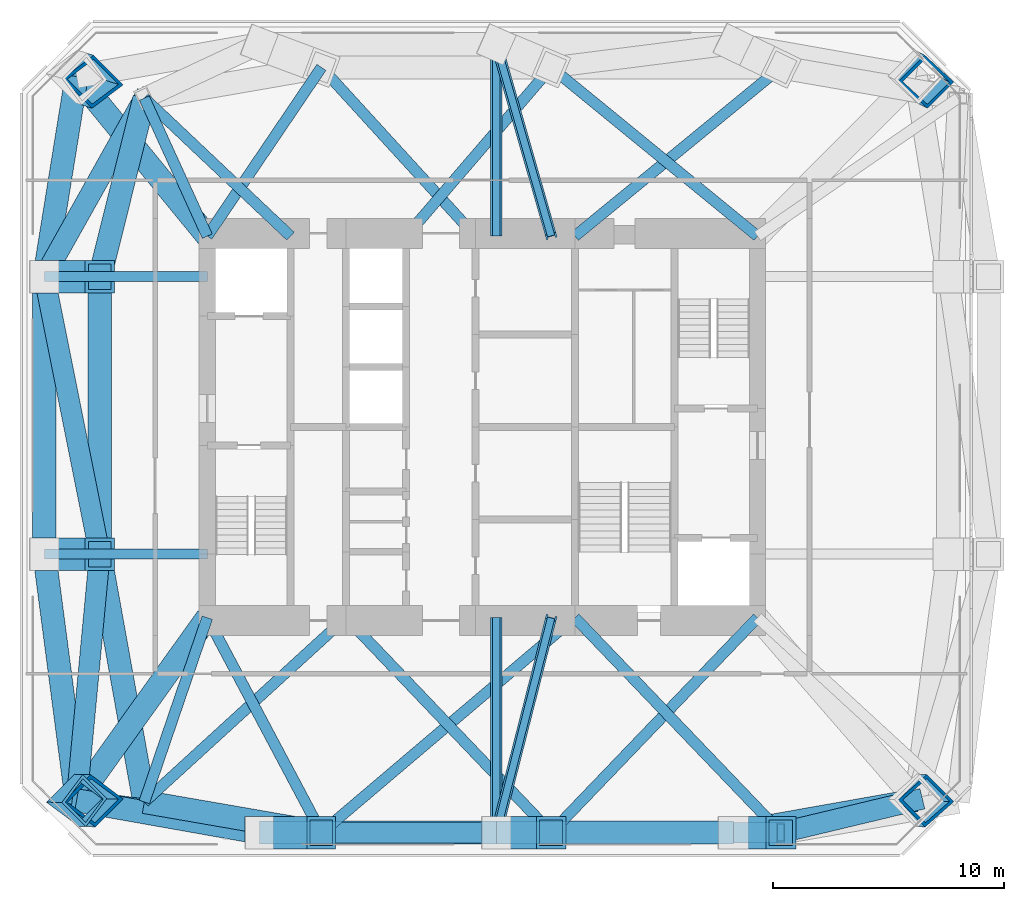
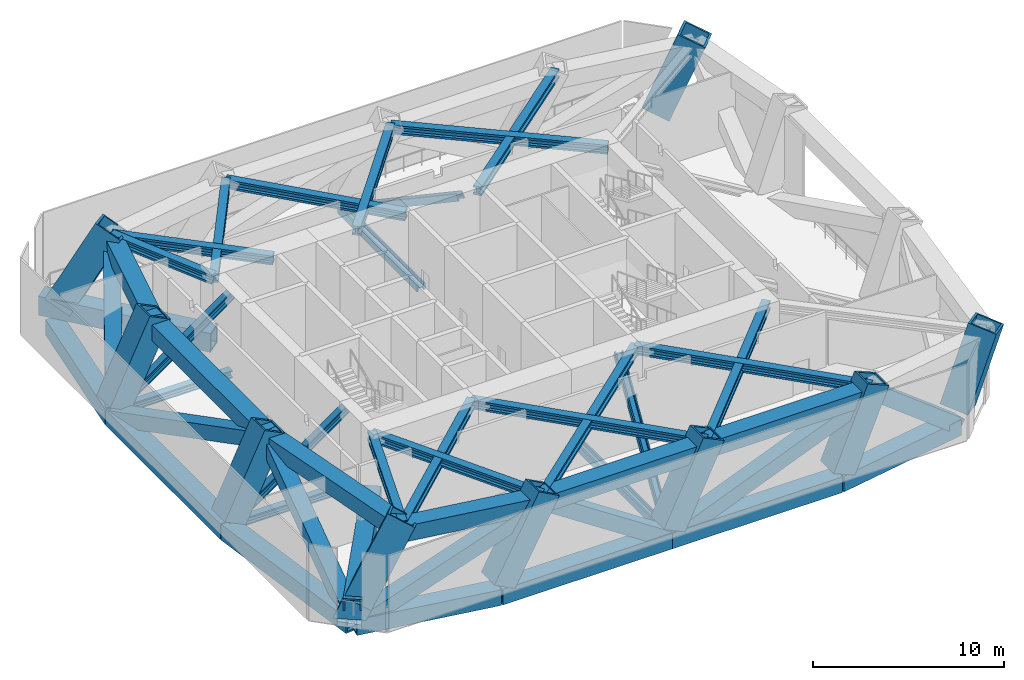
# One storey, part 1 of 8: 48 members, 4 columns, 2 beams.
"""IFC4 building model written with IfcOpenShell, lengths in metres."""

from ifc_helpers import new_model, si_unit, direction, frame, origin, origin_2d, place, context, subcontext, project, spatial, hollow_rectangle, i_section, extrude, clip, halfspace, material, material_profile, profile_set, type_object, element, save


model = new_model("IFC4")

# Units and contexts
model_context = context("Model", 3, precision=1e-05, world=origin(), true_north=direction((0.0, 1.0)))
body_context = subcontext(model_context, "Body", "Model", "MODEL_VIEW")
ifc_project = project(units=[si_unit("LENGTHUNIT", "METRE"), si_unit("AREAUNIT", "SQUARE_METRE"), si_unit("VOLUMEUNIT", "CUBIC_METRE"), si_unit("PLANEANGLEUNIT", "RADIAN"), si_unit("MASSUNIT", "GRAM", prefix="KILO")], contexts=[model_context])

# Site, building, storey
site_placement = place(None, origin())
site = spatial("IfcSite", under=ifc_project, at=site_placement, CompositionType="ELEMENT")
building_placement = place(site_placement, origin())
building = spatial("IfcBuilding", under=site, at=building_placement, Name="Jalousie Tower", CompositionType="ELEMENT")
storey_placement = place(building_placement, frame((0.0, 0.0, 207.949951171875)))
storey = spatial("IfcBuildingStorey", under=building, at=storey_placement, Name="L57", CompositionType="ELEMENT", Elevation=207.949951171875)

# Columns
ifc_material_1 = material(Name="Steel EN 10025-2 S355J2 plate", Category="steel")
ifc_material_profile_1 = material_profile(ifc_material_1, hollow_rectangle(XDim=1.60009765625, YDim=1.60009765625, WallThickness=0.125, at=origin_2d()), Name="BOX 1600x1600x125")
ifc_profile_set_1 = profile_set([ifc_material_profile_1], Name="Steel EN 10025-2 S355J2 plate")
column_type = type_object("IfcColumnType", Name="BUILT-UP BOX CORNER COLUMN BOX 1600x1600x125", PredefinedType="COLUMN", material=ifc_profile_set_1)
column_1_placement = place(storey_placement, frame((14.681884765625, 2.34033203125, 0.5693359375), z_axis=(0.505477672138, -0.012174601821, 0.862753789931), x_axis=(0.566329451465, 0.759058068084, -0.321094692698)))
element("IfcColumn", 1, at=column_1_placement, inside=storey, type_object=column_type, Name="Corner column raked 01 L57", PredefinedType="COLUMN", context=body_context, shape_type="SweptSolid", body=[
    extrude(hollow_rectangle(XDim=1.60009765625, YDim=1.60009765625, WallThickness=0.125, at=origin_2d()), origin(), (0.0, 0.0, 1.0), 5.135498046875),
])
column_2_placement = place(storey_placement, frame((50.792724609375, 2.343017578125, 0.387451171875), z_axis=(0.342107137439, -0.013258544015, 0.939567409782), x_axis=(-0.641784433979, 0.727052744645, 0.24394066247)))
element("IfcColumn", 2, at=column_2_placement, inside=storey, type_object=column_type, Name="Corner column raked 05 L57", PredefinedType="COLUMN", context=body_context, shape_type="SweptSolid", body=[
    extrude(hollow_rectangle(XDim=1.60009765625, YDim=1.60009765625, WallThickness=0.125, at=origin_2d()), origin(), (0.0, 0.0, 1.0), 4.9091796875),
])
column_3_placement = place(storey_placement, frame((50.788818359375, 33.58154296875, 0.376953125), z_axis=(0.337034427987, -0.172065182694, 0.925635655783), x_axis=(-0.672443835431, -0.732114860607, 0.10875255891)))
element("IfcColumn", 3, at=column_3_placement, inside=storey, type_object=column_type, Name="Corner column raked 08 L57", PredefinedType="COLUMN", context=body_context, shape_type="SweptSolid", body=[
    extrude(hollow_rectangle(XDim=1.60009765625, YDim=1.60009765625, WallThickness=0.125, at=origin_2d()), origin(), (0.0, 0.0, 1.0), 4.994384765625),
])
column_4_placement = place(storey_placement, frame((14.685546875, 33.544677734375, 0.57568359375), z_axis=(0.49913593482, -0.158364072328, 0.851929656232), x_axis=(0.536544088104, -0.715531684095, -0.447364337623)))
element("IfcColumn", 4, at=column_4_placement, inside=storey, type_object=column_type, Name="Corner column raked 12 L57", PredefinedType="COLUMN", context=body_context, shape_type="SweptSolid", body=[
    extrude(hollow_rectangle(XDim=1.60009765625, YDim=1.60009765625, WallThickness=0.125, at=origin_2d()), origin(), (0.0, 0.0, 1.0), 5.193359375),
])

# Members
ifc_material_2 = material(Name="Steel ASTM A572 Grade 50 plate", Category="steel")
ifc_material_profile_2 = material_profile(ifc_material_2, hollow_rectangle(XDim=1.0, YDim=1.0, WallThickness=0.10009765625, at=origin_2d()), Name="BOX 1000x1000x100")
ifc_profile_set_2 = profile_set([ifc_material_profile_2], Name="Steel ASTM A572 Grade 50 plate")
member_type_1 = type_object("IfcMemberType", Name="BELT TRUSS CHORD BOX 1000x1000x100", PredefinedType="CHORD", material=ifc_profile_set_2)
member_1_placement = place(storey_placement, frame((14.348388671875, 2.348388671875, -0.780029296875), z_axis=(0.984697370688, -0.174273027632, 0.0), x_axis=(0.174273027632, 0.984697370688, 0.0)))
element("IfcMember", 5, at=member_1_placement, inside=storey, type_object=member_type_1, Name="Belt truss T3 01-02 chord L57", PredefinedType="CHORD", context=body_context, shape_type="SweptSolid", body=[
    extrude(hollow_rectangle(XDim=1.0, YDim=1.0, WallThickness=0.10009765625, at=origin_2d()), origin(), (0.0, 0.0, 1.0), 8.0244140625),
])
member_2_placement = place(storey_placement, frame((17.27783203125, 2.27783203125, 4.219970703125), z_axis=(0.985303580858, -0.170812334299, 0.0), x_axis=(0.170812334299, 0.985303580858, 0.0)))
element("IfcMember", 6, at=member_2_placement, inside=storey, type_object=member_type_1, Name="Belt truss T3 01-02 chord L58", PredefinedType="CHORD", context=body_context, shape_type="SweptSolid", body=[
    extrude(hollow_rectangle(XDim=1.0, YDim=1.0, WallThickness=0.10009765625, at=origin_2d()), origin(), (0.0, 0.0, 1.0), 7.77392578125),
])
member_3_placement = place(storey_placement, frame((22.25, 0.949951171875, -0.780029296875), z_axis=(1.0, 0.0, 0.0), x_axis=(0.0, 1.0, 0.0)))
element("IfcMember", 7, at=member_3_placement, inside=storey, type_object=member_type_1, Name="Belt truss T3 02-03 chord L57", PredefinedType="CHORD", context=body_context, shape_type="SweptSolid", body=[
    extrude(hollow_rectangle(XDim=1.0, YDim=1.0, WallThickness=0.10009765625, at=origin_2d()), origin(), (0.0, 0.0, 1.0), 10.25),
])
member_4_placement = place(storey_placement, frame((24.9375, 0.949951171875, 4.219970703125), z_axis=(1.0, 0.0, 0.0), x_axis=(0.0, 1.0, 0.0)))
element("IfcMember", 8, at=member_4_placement, inside=storey, type_object=member_type_1, Name="Belt truss T3 02-03 chord L58", PredefinedType="CHORD", context=body_context, shape_type="SweptSolid", body=[
    extrude(hollow_rectangle(XDim=1.0, YDim=1.0, WallThickness=0.10009765625, at=origin_2d()), origin(), (0.0, 0.0, 1.0), 9.9375),
])
member_5_placement = place(storey_placement, frame((32.5, 0.949951171875, -0.780029296875), z_axis=(1.0, 0.0, 0.0), x_axis=(0.0, 1.0, 0.0)))
element("IfcMember", 9, at=member_5_placement, inside=storey, type_object=member_type_1, Name="Belt truss T3 03-04 chord L57", PredefinedType="CHORD", context=body_context, shape_type="SweptSolid", body=[
    extrude(hollow_rectangle(XDim=1.0, YDim=1.0, WallThickness=0.10009765625, at=origin_2d()), origin(), (0.0, 0.0, 1.0), 10.25),
])
member_6_placement = place(storey_placement, frame((34.875, 0.949951171875, 4.219970703125), z_axis=(1.0, 0.0, 0.0), x_axis=(0.0, 1.0, 0.0)))
element("IfcMember", 10, at=member_6_placement, inside=storey, type_object=member_type_1, Name="Belt truss T3 03-04 chord L58", PredefinedType="CHORD", context=body_context, shape_type="SweptSolid", body=[
    extrude(hollow_rectangle(XDim=1.0, YDim=1.0, WallThickness=0.10009765625, at=origin_2d()), origin(), (0.0, 0.0, 1.0), 9.9375),
])
member_7_placement = place(storey_placement, frame((42.75, 0.949951171875, -0.780029296875), z_axis=(0.984697370688, 0.174273027632, 0.0), x_axis=(-0.174273027632, 0.984697370688, 0.0)))
element("IfcMember", 11, at=member_7_placement, inside=storey, type_object=member_type_1, Name="Belt truss T3 04-05 chord L57", PredefinedType="CHORD", context=body_context, shape_type="SweptSolid", body=[
    extrude(hollow_rectangle(XDim=1.0, YDim=1.0, WallThickness=0.10009765625, at=origin_2d()), origin(), (0.0, 0.0, 1.0), 8.0244140625),
])
member_8_placement = place(storey_placement, frame((14.348388671875, 33.651611328125, -0.780029296875), z_axis=(-0.159567878256, -0.987186959106, 0.0), x_axis=(0.987186959106, -0.159567878256, 0.0)))
element("IfcMember", 12, at=member_8_placement, inside=storey, type_object=member_type_1, Name="Belt truss T3 12-13 chord L57", PredefinedType="CHORD", context=body_context, shape_type="SweptSolid", body=[
    extrude(hollow_rectangle(XDim=1.0, YDim=1.0, WallThickness=0.10009765625, at=origin_2d()), origin(), (0.0, 0.0, 1.0), 8.763916015625),
])
member_9_placement = place(storey_placement, frame((17.27783203125, 32.72216796875, 4.219970703125), z_axis=(-0.242203607558, -0.970225444155, 0.0), x_axis=(0.970225444155, -0.242203607558, 0.0)))
element("IfcMember", 13, at=member_9_placement, inside=storey, type_object=member_type_1, Name="Belt truss T3 12-13 chord L58", PredefinedType="CHORD", context=body_context, shape_type="SweptSolid", body=[
    extrude(hollow_rectangle(XDim=1.0, YDim=1.0, WallThickness=0.10009765625, at=origin_2d()), origin(), (0.0, 0.0, 1.0), 7.959228515625),
])
for number, where, z_axis, x_axis, name in (
    (14, (12.949951171875, 25.0, -0.780029296875), (0.0, -1.0, 0.0), (1.0, 0.0, 0.0), "Belt truss T3 13-14 chord L57"),
    (15, (15.35009765625, 25.0, 4.219970703125), (0.0, -1.0, 0.0), (1.0, 0.0, 0.0), "Belt truss T3 13-14 chord L58"),
):
    element("IfcMember", number, at=place(storey_placement, frame(where, z_axis=z_axis, x_axis=x_axis)), inside=storey, type_object=member_type_1, Name=name, PredefinedType="CHORD", context=body_context, shape_type="SweptSolid", body=[
        extrude(hollow_rectangle(XDim=1.0, YDim=1.0, WallThickness=0.10009765625, at=origin_2d()), origin(), (0.0, 0.0, 1.0), 12.0),
    ])
member_10_placement = place(storey_placement, frame((12.949951171875, 13.0, -0.780029296875), z_axis=(0.130171745558, -0.991491460709, 0.0), x_axis=(0.991491460709, 0.130171745558, 0.0)))
element("IfcMember", 16, at=member_10_placement, inside=storey, type_object=member_type_1, Name="Belt truss T3 14-01 chord L57", PredefinedType="CHORD", context=body_context, shape_type="SweptSolid", body=[
    extrude(hollow_rectangle(XDim=1.0, YDim=1.0, WallThickness=0.10009765625, at=origin_2d()), origin(), (0.0, 0.0, 1.0), 10.742919921875),
])
member_11_placement = place(storey_placement, frame((15.35009765625, 13.0, 4.219970703125), z_axis=(0.176952421232, -0.984219406748, 0.0), x_axis=(0.984219406748, 0.176952421232, 0.0)))
element("IfcMember", 17, at=member_11_placement, inside=storey, type_object=member_type_1, Name="Belt truss T3 14-01 chord L58", PredefinedType="CHORD", context=body_context, shape_type="SweptSolid", body=[
    extrude(hollow_rectangle(XDim=1.0, YDim=1.0, WallThickness=0.10009765625, at=origin_2d()), origin(), (0.0, 0.0, 1.0), 10.89404296875),
])
ifc_material_3 = material(Name="Steel ASTM A572 Grade 50 plate", Category="steel")
ifc_material_profile_3 = material_profile(ifc_material_3, hollow_rectangle(XDim=0.89990234375, YDim=0.89990234375, WallThickness=0.080078125, at=origin_2d()), Name="BOX 900x900x80")
ifc_profile_set_3 = profile_set([ifc_material_profile_3], Name="Steel ASTM A572 Grade 50 plate")
member_type_2 = type_object("IfcMemberType", Name="BELT TRUSS DIAGONAL BOX 900x900x80", PredefinedType="BRACE", material=ifc_profile_set_3)
member_12_placement = place(storey_placement, frame((14.348388671875, 2.348388671875, -0.780029296875), z_axis=(0.897882512889, -0.118577710415, 0.423964998132), x_axis=(0.130926924573, 0.991392021565, 0.0)))
element("IfcMember", 18, at=member_12_placement, inside=storey, type_object=member_type_2, Name="Belt truss T3 01-02 diagonal L57", PredefinedType="BRACE", context=body_context, shape_type="SweptSolid", body=[
    extrude(hollow_rectangle(XDim=0.89990234375, YDim=0.89990234375, WallThickness=0.080078125, at=origin_2d()), origin(), (0.0, 0.0, 1.0), 11.79345703125),
])
member_13_placement = place(storey_placement, frame((24.9375, 0.949951171875, 4.219970703125), z_axis=(0.834165419537, 0.0, -0.551514326966), x_axis=(0.0, 1.0, 0.0)))
element("IfcMember", 19, at=member_13_placement, inside=storey, type_object=member_type_2, Name="Belt truss T3 02-03 diagonal L57", PredefinedType="BRACE", context=body_context, shape_type="SweptSolid", body=[
    extrude(hollow_rectangle(XDim=0.89990234375, YDim=0.89990234375, WallThickness=0.080078125, at=origin_2d()), origin(), (0.0, 0.0, 1.0), 9.06591796875),
])
member_14_placement = place(storey_placement, frame((32.5, 0.949951171875, -0.780029296875), z_axis=(0.926517818131, 0.0, 0.376250890612), x_axis=(0.0, 1.0, 0.0)))
element("IfcMember", 20, at=member_14_placement, inside=storey, type_object=member_type_2, Name="Belt truss T3 03-04 diagonal L57", PredefinedType="BRACE", context=body_context, shape_type="SweptSolid", body=[
    extrude(hollow_rectangle(XDim=0.89990234375, YDim=0.89990234375, WallThickness=0.080078125, at=origin_2d()), origin(), (0.0, 0.0, 1.0), 13.2890625),
])
member_15_placement = place(storey_placement, frame((44.8125, 0.949951171875, 4.219970703125), z_axis=(0.747310188501, 0.178976993759, -0.639917743049), x_axis=(-0.2329084878, 0.9724986562, 0.0)))
element("IfcMember", 21, at=member_15_placement, inside=storey, type_object=member_type_2, Name="Belt truss T3 04-05 diagonal L57", PredefinedType="BRACE", context=body_context, shape_type="SweptSolid", body=[
    extrude(hollow_rectangle(XDim=0.89990234375, YDim=0.89990234375, WallThickness=0.080078125, at=origin_2d()), origin(), (0.0, 0.0, 1.0), 7.8134765625),
])
member_16_placement = place(storey_placement, frame((17.27783203125, 32.72216796875, 4.219970703125), z_axis=(-0.425690481591, -0.75955265599, -0.49180013894), x_axis=(0.872339010051, -0.48890147427, 0.0)))
element("IfcMember", 22, at=member_16_placement, inside=storey, type_object=member_type_2, Name="Belt truss T3 12-13 diagonal L57", PredefinedType="BRACE", context=body_context, shape_type="SweptSolid", body=[
    extrude(hollow_rectangle(XDim=0.89990234375, YDim=0.89990234375, WallThickness=0.080078125, at=origin_2d()), origin(), (0.0, 0.0, 1.0), 10.166748046875),
])
member_17_placement = place(storey_placement, frame((12.949951171875, 25.0, -0.780029296875), z_axis=(0.181558194986, -0.907735571146, 0.378223154644), x_axis=(0.98057837371, 0.196127644693, 0.0)))
element("IfcMember", 23, at=member_17_placement, inside=storey, type_object=member_type_2, Name="Belt truss T3 13-14 diagonal L57", PredefinedType="BRACE", context=body_context, shape_type="SweptSolid", body=[
    extrude(hollow_rectangle(XDim=0.89990234375, YDim=0.89990234375, WallThickness=0.080078125, at=origin_2d()), origin(), (0.0, 0.0, 1.0), 13.2197265625),
])
member_18_placement = place(storey_placement, frame((15.35009765625, 13.0, 4.219970703125), z_axis=(-0.084823533012, -0.901965859558, -0.423394091172), x_axis=(0.995607078608, -0.093629829781, 0.0)))
element("IfcMember", 24, at=member_18_placement, inside=storey, type_object=member_type_2, Name="Belt truss T3 14-01 diagonal L57", PredefinedType="BRACE", context=body_context, shape_type="SweptSolid", body=[
    extrude(hollow_rectangle(XDim=0.89990234375, YDim=0.89990234375, WallThickness=0.080078125, at=origin_2d()), origin(), (0.0, 0.0, 1.0), 11.809326171875),
])

# Beams
ifc_material_4 = material(Name="Steel ASTM A572 Grade 50 plate", Category="steel")
ifc_material_profile_4 = material_profile(ifc_material_4, hollow_rectangle(XDim=1.0, YDim=1.199951171875, WallThickness=0.10009765625, at=origin_2d()), Name="BOX 1200x1000x100")
ifc_profile_set_4 = profile_set([ifc_material_profile_4], Name="Steel ASTM A572 Grade 50 plate")
beam_type = type_object("IfcBeamType", Name="KINK COLLECTOR BOX 1200x1000x100", PredefinedType="BEAM", material=ifc_profile_set_4)
beam_1_placement = place(storey_placement, frame((13.94775390625, 1.7880859375, 0.60009765625), z_axis=(0.581748646626, 0.813368620091, 0.0), x_axis=(-0.813368620091, 0.581748646626, 0.0)))
element("IfcBeam", 25, at=beam_1_placement, inside=storey, type_object=beam_type, Name="Kink collector 01 L57", PredefinedType="BEAM", context=body_context, shape_type="SweptSolid", body=[
    extrude(hollow_rectangle(XDim=1.0, YDim=1.199951171875, WallThickness=0.10009765625, at=origin_2d()), origin(), (0.0, 0.0, 1.0), 10.403564453125),
])
beam_2_placement = place(storey_placement, frame((13.90185546875, 34.197021484375, 0.60009765625), z_axis=(0.633556802936, -0.773696179035, 0.0), x_axis=(0.773696179035, 0.633556802936, 0.0)))
element("IfcBeam", 26, at=beam_2_placement, inside=storey, type_object=beam_type, Name="Kink collector 12 L57", PredefinedType="BEAM", context=body_context, shape_type="SweptSolid", body=[
    extrude(hollow_rectangle(XDim=1.0, YDim=1.199951171875, WallThickness=0.10009765625, at=origin_2d()), origin(), (0.0, 0.0, 1.0), 9.625244140625),
])

# Members
ifc_material_5 = material(Name="Steel ASTM A992 Grade 50", Category="steel")
ifc_material_profile_5 = material_profile(ifc_material_5, i_section(OverallWidth=0.472412109375, OverallDepth=0.5791015625, WebThickness=0.094970703125, FlangeThickness=0.1298828125, at=origin_2d()), Name="W14X808")
ifc_profile_set_5 = profile_set([ifc_material_profile_5], Name="Steel ASTM A992 Grade 50")
member_type_3 = type_object("IfcMemberType", Name="KINK FLOOR TRUSS DIAGONAL W14X808", PredefinedType="BRACE", material=ifc_profile_set_5)
member_19_placement = place(storey_placement, frame((17.27783203125, 2.27783203125, 4.430419921875), z_axis=(0.323140055011, 0.946351153033, 0.0), x_axis=(-0.946351153033, 0.323140055011, 0.0)))
element("IfcMember", 27, at=member_19_placement, inside=storey, type_object=member_type_3, Name="Kink floor truss L58 01 diagonal", PredefinedType="BRACE", context=body_context, shape_type="SweptSolid", body=[
    extrude(i_section(OverallWidth=0.472412109375, OverallDepth=0.5791015625, WebThickness=0.094970703125, FlangeThickness=0.1298828125, at=origin_2d()), origin(), (0.0, 0.0, 1.0), 8.424072265625),
])
member_20_placement = place(storey_placement, frame((17.27783203125, 2.27783203125, 4.430419921875), z_axis=(0.738129342843, 0.674659227487, 0.0), x_axis=(-0.674659227487, 0.738129342843, 0.0)))
element("IfcMember", 28, at=member_20_placement, inside=storey, type_object=member_type_3, Name="Kink floor truss L58 01 diagonal", PredefinedType="BRACE", context=body_context, shape_type="SweptSolid", body=[
    extrude(i_section(OverallWidth=0.472412109375, OverallDepth=0.5791015625, WebThickness=0.094970703125, FlangeThickness=0.1298828125, at=origin_2d()), origin(), (0.0, 0.0, 1.0), 11.816650390625),
])
member_21_placement = place(storey_placement, frame((24.9375, 0.949951171875, 4.430419921875), z_axis=(-0.46892182686, 0.883239673189, 0.0), x_axis=(-0.883239673189, -0.46892182686, 0.0)))
element("IfcMember", 29, at=member_21_placement, inside=storey, type_object=member_type_3, Name="Kink floor truss L58 02 diagonal", PredefinedType="BRACE", context=body_context, shape_type="SweptSolid", body=[
    extrude(i_section(OverallWidth=0.472412109375, OverallDepth=0.5791015625, WebThickness=0.094970703125, FlangeThickness=0.1298828125, at=origin_2d()), origin(), (0.0, 0.0, 1.0), 10.529541015625),
])
member_22_placement = place(storey_placement, frame((24.9375, 0.949951171875, 4.430419921875), z_axis=(0.76255660868, 0.646921493351, 0.0), x_axis=(-0.646921493351, 0.76255660868, 0.0)))
element("IfcMember", 30, at=member_22_placement, inside=storey, type_object=member_type_3, Name="Kink floor truss L58 02 diagonal", PredefinedType="BRACE", context=body_context, shape_type="SweptSolid", body=[
    extrude(i_section(OverallWidth=0.472412109375, OverallDepth=0.5791015625, WebThickness=0.094970703125, FlangeThickness=0.1298828125, at=origin_2d()), origin(), (0.0, 0.0, 1.0), 14.375732421875),
])
member_23_placement = place(storey_placement, frame((34.875, 0.949951171875, 4.430419921875), z_axis=(-0.69038133733, 0.723445650389, 0.0), x_axis=(-0.723445650389, -0.69038133733, 0.0)))
element("IfcMember", 31, at=member_23_placement, inside=storey, type_object=member_type_3, Name="Kink floor truss L58 03 diagonal", PredefinedType="BRACE", context=body_context, shape_type="SweptSolid", body=[
    extrude(i_section(OverallWidth=0.472412109375, OverallDepth=0.5791015625, WebThickness=0.094970703125, FlangeThickness=0.1298828125, at=origin_2d()), origin(), (0.0, 0.0, 1.0), 12.855224609375),
])
member_24_placement = place(storey_placement, frame((34.875, 0.949951171875, 4.430419921875), z_axis=(0.692410778516, 0.721503509205, 0.0), x_axis=(-0.721503509205, 0.692410778516, 0.0)))
element("IfcMember", 32, at=member_24_placement, inside=storey, type_object=member_type_3, Name="Kink floor truss L58 03 diagonal", PredefinedType="BRACE", context=body_context, shape_type="SweptSolid", body=[
    extrude(i_section(OverallWidth=0.472412109375, OverallDepth=0.5791015625, WebThickness=0.094970703125, FlangeThickness=0.1298828125, at=origin_2d()), origin(), (0.0, 0.0, 1.0), 12.889892578125),
])
member_25_placement = place(storey_placement, frame((44.8125, 0.949951171875, 4.430419921875), z_axis=(-0.691907421505, 0.721986232602, 0.0), x_axis=(-0.721986232602, -0.691907421505, 0.0)))
element("IfcMember", 33, at=member_25_placement, inside=storey, type_object=member_type_3, Name="Kink floor truss L58 04 diagonal", PredefinedType="BRACE", context=body_context, shape_type="SweptSolid", body=[
    extrude(i_section(OverallWidth=0.472412109375, OverallDepth=0.5791015625, WebThickness=0.094970703125, FlangeThickness=0.1298828125, at=origin_2d()), origin(), (0.0, 0.0, 1.0), 12.881103515625),
])
member_26_placement = place(storey_placement, frame((44.8125, 34.050048828125, 4.430419921875), z_axis=(-0.773620117413, -0.633649677609, 0.0), x_axis=(0.633649677609, -0.773620117413, 0.0)))
element("IfcMember", 34, at=member_26_placement, inside=storey, type_object=member_type_3, Name="Kink floor truss L58 09 diagonal", PredefinedType="BRACE", context=body_context, shape_type="SweptSolid", body=[
    extrude(i_section(OverallWidth=0.472412109375, OverallDepth=0.5791015625, WebThickness=0.094970703125, FlangeThickness=0.1298828125, at=origin_2d()), origin(), (0.0, 0.0, 1.0), 11.520751953125),
])
member_27_placement = place(storey_placement, frame((34.875, 34.050048828125, 4.430419921875), z_axis=(-0.651851760885, -0.758346412817, 0.0), x_axis=(0.758346412817, -0.651851760885, 0.0)))
element("IfcMember", 35, at=member_27_placement, inside=storey, type_object=member_type_3, Name="Kink floor truss L58 10 diagonal", PredefinedType="BRACE", context=body_context, shape_type="SweptSolid", body=[
    extrude(i_section(OverallWidth=0.472412109375, OverallDepth=0.5791015625, WebThickness=0.094970703125, FlangeThickness=0.1298828125, at=origin_2d()), origin(), (0.0, 0.0, 1.0), 9.626220703125),
])
member_28_placement = place(storey_placement, frame((34.875, 34.050048828125, 4.430419921875), z_axis=(0.774053516116, -0.633120173575, 0.0), x_axis=(0.633120173575, 0.774053516116, 0.0)))
element("IfcMember", 36, at=member_28_placement, inside=storey, type_object=member_type_3, Name="Kink floor truss L58 10 diagonal", PredefinedType="BRACE", context=body_context, shape_type="SweptSolid", body=[
    extrude(i_section(OverallWidth=0.472412109375, OverallDepth=0.5791015625, WebThickness=0.094970703125, FlangeThickness=0.1298828125, at=origin_2d()), origin(), (0.0, 0.0, 1.0), 11.5302734375),
])
member_29_placement = place(storey_placement, frame((24.9375, 34.050048828125, 4.430419921875), z_axis=(-0.560249555768, -0.828323870996, 0.0), x_axis=(0.828323870996, -0.560249555768, 0.0)))
element("IfcMember", 37, at=member_29_placement, inside=storey, type_object=member_type_3, Name="Kink floor truss L58 11 diagonal", PredefinedType="BRACE", context=body_context, shape_type="SweptSolid", body=[
    extrude(i_section(OverallWidth=0.472412109375, OverallDepth=0.5791015625, WebThickness=0.094970703125, FlangeThickness=0.1298828125, at=origin_2d()), origin(), (0.0, 0.0, 1.0), 8.81298828125),
])
member_30_placement = place(storey_placement, frame((24.9375, 34.050048828125, 4.430419921875), z_axis=(0.674122334524, -0.738619711418, 0.0), x_axis=(0.738619711418, 0.674122334524, 0.0)))
element("IfcMember", 38, at=member_30_placement, inside=storey, type_object=member_type_3, Name="Kink floor truss L58 11 diagonal", PredefinedType="BRACE", context=body_context, shape_type="SweptSolid", body=[
    extrude(i_section(OverallWidth=0.472412109375, OverallDepth=0.5791015625, WebThickness=0.094970703125, FlangeThickness=0.1298828125, at=origin_2d()), origin(), (0.0, 0.0, 1.0), 9.88330078125),
])
member_31_placement = place(storey_placement, frame((17.27783203125, 32.72216796875, 4.430419921875), z_axis=(0.41475559306, -0.909932853581, 0.0), x_axis=(0.909932853581, 0.41475559306, 0.0)))
element("IfcMember", 39, at=member_31_placement, inside=storey, type_object=member_type_3, Name="Kink floor truss L58 12 diagonal", PredefinedType="BRACE", context=body_context, shape_type="SweptSolid", body=[
    extrude(i_section(OverallWidth=0.472412109375, OverallDepth=0.5791015625, WebThickness=0.094970703125, FlangeThickness=0.1298828125, at=origin_2d()), origin(), (0.0, 0.0, 1.0), 6.563232421875),
])
member_32_placement = place(storey_placement, frame((17.27783203125, 32.72216796875, 4.430419921875), z_axis=(0.726947755201, -0.68669277061, 0.0), x_axis=(0.68669277061, 0.726947755201, 0.0)))
element("IfcMember", 40, at=member_32_placement, inside=storey, type_object=member_type_3, Name="Kink floor truss L58 12 diagonal", PredefinedType="BRACE", context=body_context, shape_type="SweptSolid", body=[
    extrude(i_section(OverallWidth=0.472412109375, OverallDepth=0.5791015625, WebThickness=0.094970703125, FlangeThickness=0.1298828125, at=origin_2d()), origin(), (0.0, 0.0, 1.0), 8.697021484375),
])
ifc_material_6 = material(Name="Steel EN 10025-2 S355J2 plate", Category="steel")
ifc_material_profile_6 = material_profile(ifc_material_6, hollow_rectangle(XDim=1.60009765625, YDim=1.60009765625, WallThickness=0.125, at=origin_2d()), Name="BOX 1600x1600x125")
ifc_profile_set_6 = profile_set([ifc_material_profile_6], Name="Steel EN 10025-2 S355J2 plate")
member_type_4 = type_object("IfcMemberType", Name="KINK NODE BOX 1600x1600x125", PredefinedType="MEMBER", material=ifc_profile_set_6)
member_33_placement = place(storey_placement, frame((14.014892578125, 2.356689453125, -0.5693359375), z_axis=(0.505395772406, -0.012394405839, 0.862798639277), x_axis=(0.566690761281, 0.758808928168, -0.321046089544)))
element("IfcMember", 41, at=member_33_placement, inside=storey, type_object=member_type_4, Name="Kink node of corner column 01 at +207.950", PredefinedType="MEMBER", context=body_context, shape_type="Clipping", body=[
    clip(extrude(hollow_rectangle(XDim=1.60009765625, YDim=1.60009765625, WallThickness=0.125, at=origin_2d()), origin(), (0.0, 0.0, 1.0), 1.31982421875), halfspace(frame((0.0, 0.0, 0.659912109375), z_axis=(-0.321046089544, 0.390522619641, 0.862798639277)), True)),
])
ifc_material_7 = material(Name="Steel ASTM A992 Grade 50", Category="steel")
ifc_material_profile_7 = material_profile(ifc_material_7, i_section(OverallWidth=0.43701171875, OverallDepth=0.51318359375, WebThickness=0.060546875, FlangeThickness=0.096923828125, at=origin_2d()), Name="W14X550")
ifc_profile_set_7 = profile_set([ifc_material_profile_7], Name="Steel ASTM A992 Grade 50")
member_type_5 = type_object("IfcMemberType", Name="NORTH-SOUTH OUTRIGGER CHORD W14X550", PredefinedType="CHORD", material=ifc_profile_set_7)
member_34_placement = place(storey_placement, frame((32.5, 0.949951171875, -0.53662109375), z_axis=(0.0, 1.0, 0.0), x_axis=(0.0, 0.0, 1.0)))
element("IfcMember", 42, at=member_34_placement, inside=storey, type_object=member_type_5, Name="Outrigger T3 S03 chord L57", PredefinedType="CHORD", context=body_context, shape_type="SweptSolid", body=[
    extrude(i_section(OverallWidth=0.43701171875, OverallDepth=0.51318359375, WebThickness=0.060546875, FlangeThickness=0.096923828125, at=origin_2d()), origin(), (0.0, 0.0, 1.0), 9.300048828125),
])
member_35_placement = place(storey_placement, frame((32.5, 35.050048828125, -0.53662109375), z_axis=(0.0, -1.0, 0.0), x_axis=(0.0, 0.0, 1.0)))
element("IfcMember", 43, at=member_35_placement, inside=storey, type_object=member_type_5, Name="Outrigger T3 N10 chord L57", PredefinedType="CHORD", context=body_context, shape_type="SweptSolid", body=[
    extrude(i_section(OverallWidth=0.43701171875, OverallDepth=0.51318359375, WebThickness=0.060546875, FlangeThickness=0.096923828125, at=origin_2d()), origin(), (0.0, 0.0, 1.0), 8.300048828125),
])
ifc_material_8 = material(Name="Steel ASTM A992 Grade 50", Category="steel")
ifc_material_profile_8 = material_profile(ifc_material_8, i_section(OverallWidth=0.42431640625, OverallDepth=0.47509765625, WebThickness=0.0478515625, FlangeThickness=0.0771484375, at=origin_2d()), Name="W14X426")
ifc_profile_set_8 = profile_set([ifc_material_profile_8], Name="Steel ASTM A992 Grade 50")
member_type_6 = type_object("IfcMemberType", Name="NORTH-SOUTH OUTRIGGER DIAGONAL W14X426", PredefinedType="BRACE", material=ifc_profile_set_8)
member_36_placement = place(storey_placement, frame((32.5, 0.949951171875, -0.53662109375), z_axis=(0.219445510307, 0.859306930934, 0.461990548015), x_axis=(-0.114312192613, -0.447624830718, 0.886884847962)))
element("IfcMember", 44, at=member_36_placement, inside=storey, type_object=member_type_6, Name="Outrigger T3 S03 diagonal L57", PredefinedType="BRACE", context=body_context, shape_type="SweptSolid", body=[
    extrude(i_section(OverallWidth=0.42431640625, OverallDepth=0.47509765625, WebThickness=0.0478515625, FlangeThickness=0.0771484375, at=origin_2d()), origin(), (0.0, 0.0, 1.0), 10.82275390625),
])
member_37_placement = place(storey_placement, frame((32.5, 35.050048828125, -0.53662109375), z_axis=(0.238058383343, -0.831956297132, 0.501175543879), x_axis=(-0.137874433552, 0.481837697109, 0.865345638585)))
element("IfcMember", 45, at=member_37_placement, inside=storey, type_object=member_type_6, Name="Outrigger T3 N10 diagonal L57", PredefinedType="BRACE", context=body_context, shape_type="SweptSolid", body=[
    extrude(i_section(OverallWidth=0.42431640625, OverallDepth=0.47509765625, WebThickness=0.0478515625, FlangeThickness=0.0771484375, at=origin_2d()), origin(), (0.0, 0.0, 1.0), 9.9765625),
])
ifc_material_9 = material(Name="Steel ASTM A992 Grade 50", Category="steel")
ifc_material_profile_9 = material_profile(ifc_material_9, i_section(OverallWidth=0.42431640625, OverallDepth=0.47509765625, WebThickness=0.0478515625, FlangeThickness=0.0771484375, at=origin_2d()), Name="W14X426")
ifc_profile_set_9 = profile_set([ifc_material_profile_9], Name="Steel ASTM A992 Grade 50")
member_type_7 = type_object("IfcMemberType", Name="OUTRIGGER CHORD W14X426", PredefinedType="CHORD", material=ifc_profile_set_9)
for number, where, z_axis, x_axis, name in (
    (46, (12.949951171875, 13.0, -0.517333984375), (1.0, 0.0, 0.0), (0.0, 1.0, 0.0), "Outrigger T3 west arm at column 14 chord L57"),
    (47, (12.949951171875, 25.0, -0.517333984375), (1.0, 0.0, 0.0), (0.0, 1.0, 0.0), "Outrigger T3 west arm at column 13 chord L57"),
):
    element("IfcMember", number, at=place(storey_placement, frame(where, z_axis=z_axis, x_axis=x_axis)), inside=storey, type_object=member_type_7, Name=name, PredefinedType="CHORD", context=body_context, shape_type="SweptSolid", body=[
        extrude(i_section(OverallWidth=0.42431640625, OverallDepth=0.47509765625, WebThickness=0.0478515625, FlangeThickness=0.0771484375, at=origin_2d()), origin(), (0.0, 0.0, 1.0), 7.050048828125),
    ])
ifc_material_10 = material(Name="Steel ASTM A992 Grade 50", Category="steel")
ifc_material_profile_10 = material_profile(ifc_material_10, i_section(OverallWidth=0.42431640625, OverallDepth=0.47509765625, WebThickness=0.0478515625, FlangeThickness=0.0771484375, at=origin_2d()), Name="W14X426")
ifc_profile_set_10 = profile_set([ifc_material_profile_10], Name="Steel ASTM A992 Grade 50")
member_type_8 = type_object("IfcMemberType", Name="OUTRIGGER DIAGONAL W14X426", PredefinedType="BRACE", material=ifc_profile_set_10)
for number, where, z_axis, x_axis, name in (
    (48, (12.949951171875, 13.0, -0.517333984375), (0.815685149455, 0.0, 0.578496099347), (0.0, 1.0, 0.0), "Outrigger T3 west arm at column 14 diagonal L57"),
    (49, (12.949951171875, 25.0, -0.517333984375), (0.815685149455, 0.0, 0.578496099347), (0.0, 1.0, 0.0), "Outrigger T3 west arm at column 13 diagonal L57"),
):
    element("IfcMember", number, at=place(storey_placement, frame(where, z_axis=z_axis, x_axis=x_axis)), inside=storey, type_object=member_type_8, Name=name, PredefinedType="BRACE", context=body_context, shape_type="SweptSolid", body=[
        extrude(i_section(OverallWidth=0.42431640625, OverallDepth=0.47509765625, WebThickness=0.0478515625, FlangeThickness=0.0771484375, at=origin_2d()), origin(), (0.0, 0.0, 1.0), 8.64306640625),
    ])
ifc_material_11 = material(Name="Steel EN 10025-2 S355J2 plate", Category="steel")
ifc_material_profile_11 = material_profile(ifc_material_11, hollow_rectangle(XDim=1.39990234375, YDim=1.39990234375, WallThickness=0.14990234375, at=origin_2d()), Name="BOX 1400x1400x150")
ifc_profile_set_11 = profile_set([ifc_material_profile_11], Name="Steel EN 10025-2 S355J2 plate")
member_type_9 = type_object("IfcMemberType", Name="TRANSFER TRUSS STRUT BOX 1400x1400x150", PredefinedType="STRUT", material=ifc_profile_set_11)
member_38_placement = place(storey_placement, frame((22.25, 0.949951171875, 0.0), z_axis=(0.473443113396, 0.0, 0.880824397016), x_axis=(0.0, 1.0, 0.0)))
element("IfcMember", 50, at=member_38_placement, inside=storey, type_object=member_type_9, Name="Transfer truss T3 strut 02 L57", PredefinedType="STRUT", context=body_context, shape_type="SweptSolid", body=[
    extrude(hollow_rectangle(XDim=1.39990234375, YDim=1.39990234375, WallThickness=0.14990234375, at=origin_2d()), origin(), (0.0, 0.0, 1.0), 5.676513671875),
])
member_39_placement = place(storey_placement, frame((32.5, 0.949951171875, 0.0), z_axis=(0.429056814568, 0.0, 0.903277504354), x_axis=(0.0, 1.0, 0.0)))
element("IfcMember", 51, at=member_39_placement, inside=storey, type_object=member_type_9, Name="Transfer truss T3 strut 03 L57", PredefinedType="STRUT", context=body_context, shape_type="SweptSolid", body=[
    extrude(hollow_rectangle(XDim=1.39990234375, YDim=1.39990234375, WallThickness=0.14990234375, at=origin_2d()), origin(), (0.0, 0.0, 1.0), 5.535400390625),
])
member_40_placement = place(storey_placement, frame((42.75, 0.949951171875, 0.0), z_axis=(0.381330922953, 0.0, 0.924438601098), x_axis=(0.0, 1.0, 0.0)))
element("IfcMember", 52, at=member_40_placement, inside=storey, type_object=member_type_9, Name="Transfer truss T3 strut 04 L57", PredefinedType="STRUT", context=body_context, shape_type="SweptSolid", body=[
    extrude(hollow_rectangle(XDim=1.39990234375, YDim=1.39990234375, WallThickness=0.14990234375, at=origin_2d()), origin(), (0.0, 0.0, 1.0), 5.40869140625),
])
for number, where, z_axis, x_axis, name in (
    (53, (12.949951171875, 25.0, 0.0), (0.432752533251, 0.0, 0.901512753634), (0.0, 1.0, 0.0), "Transfer truss T3 strut 13 L57"),
    (54, (12.949951171875, 13.0, 0.0), (0.432752533251, 0.0, 0.901512753634), (0.0, 1.0, 0.0), "Transfer truss T3 strut 14 L57"),
):
    element("IfcMember", number, at=place(storey_placement, frame(where, z_axis=z_axis, x_axis=x_axis)), inside=storey, type_object=member_type_9, Name=name, PredefinedType="STRUT", context=body_context, shape_type="SweptSolid", body=[
        extrude(hollow_rectangle(XDim=1.39990234375, YDim=1.39990234375, WallThickness=0.14990234375, at=origin_2d()), origin(), (0.0, 0.0, 1.0), 5.546142578125),
    ])

save(model, "model.ifc")
